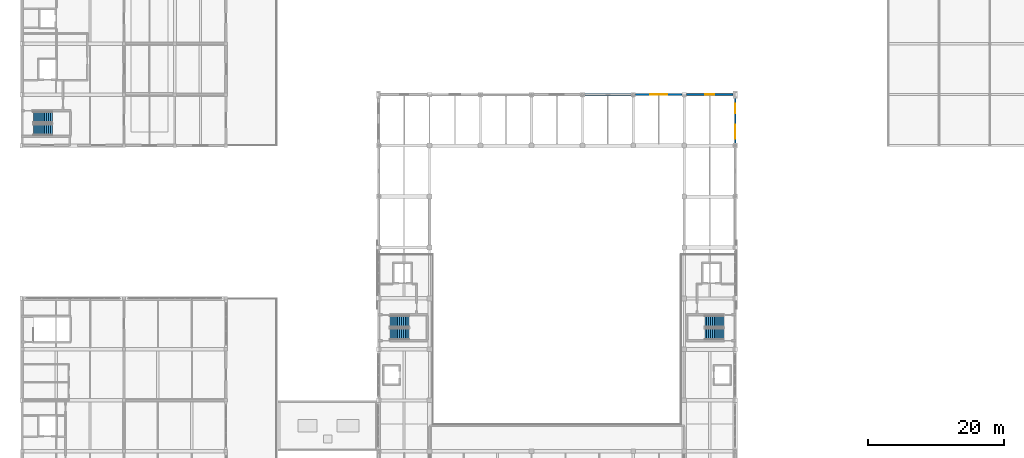
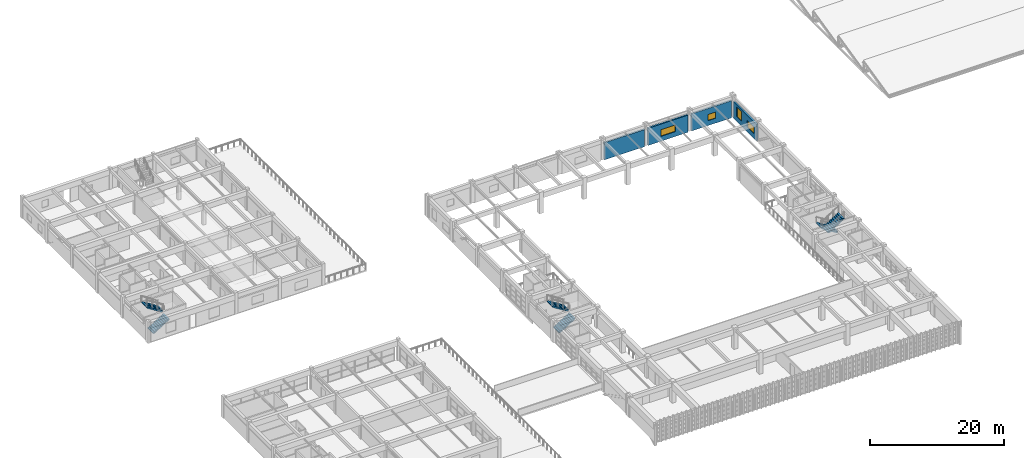
# One storey, part 66 of 82: 6 stair flights, 4 walls, 4 windows, 4 openings, 3 elements without a shape of their own.
"""IFC4 building model written with IfcOpenShell, lengths in metres."""

from ifc_helpers import new_model, si_unit, direction, frame, frame_2d, origin, place, context, subcontext, project, spatial, polyline, rectangle, outline, extrude, material, layer, layer_set, type_object, element, fill, aggregate, save


model = new_model("IFC4")

# Units and contexts
model_context = context("Model", 3, precision=1e-05, world=origin(), true_north=direction((0.0, 1.0)))
body_context = subcontext(model_context, "Body", "Model", "MODEL_VIEW")
ifc_project = project(units=[si_unit("LENGTHUNIT", "METRE"), si_unit("AREAUNIT", "SQUARE_METRE"), si_unit("VOLUMEUNIT", "CUBIC_METRE"), si_unit("PLANEANGLEUNIT", "RADIAN"), si_unit("MASSUNIT", "GRAM", prefix="KILO")], contexts=[model_context])

# Site, building, storey
site_placement = place(None, origin())
site = spatial("IfcSite", under=ifc_project, at=site_placement, CompositionType="ELEMENT")
building_placement = place(site_placement, origin())
building = spatial("IfcBuilding", under=site, at=building_placement, Name="Qasida Concert Hall", CompositionType="ELEMENT")
storey_placement = place(building_placement, frame((0.0, 0.0, 17.10009765625)))
storey = spatial("IfcBuildingStorey", under=building, at=storey_placement, Name="L04", CompositionType="ELEMENT", Elevation=17.10009765625)

# Wall, openings, windows
ifc_material_1 = material(Name="Precast concrete C40/50", Category="concrete")
ifc_layer = layer(ifc_material_1, 0.280029296875, Name="Precast concrete C40/50")
ifc_layer_set = layer_set([ifc_layer], Name="Precast concrete C40/50")
wall_type = type_object("IfcWallType", Name="WL-EW-280", PredefinedType="SOLIDWALL", material=ifc_layer_set)
wall_1_placement = place(storey_placement, frame((105.0, 75.300048828125, -0.280029296875), z_axis=(0.0, 0.0, 1.0), x_axis=(0.0, 1.0, 0.0)))
wall_1 = element("IfcWall", 1, at=wall_1_placement, inside=storey, type_object=wall_type, Name="L04 exterior wall EW-280 0088", PredefinedType="SOLIDWALL", context=body_context, shape_type="SweptSolid", body=[
    extrude(rectangle(XDim=6.89990234375, YDim=0.280029296875, at=frame_2d((3.449951171875, 0.0))), origin(), (0.0, 0.0, 1.0), 3.02001953125),
])
opening_1_placement = place(wall_1_placement, frame((0.699951171875, 0.0, 0.8798828125)))
opening_1 = element("IfcOpeningElement", 2, at=opening_1_placement, cuts=wall_1, Name="Opening WN-20", PredefinedType="OPENING", context=body_context, shape_type="SweptSolid", body=[
    extrude(rectangle(XDim=2.050048828125, YDim=1.199951171875, at=frame_2d((1.02490234375, 0.60009765625))), frame((0.0, 0.14990234375, 0.0), z_axis=(0.0, -1.0, 0.0), x_axis=(1.0, 0.0, 0.0)), (0.0, 0.0, 1.0), 0.300048828125),
])
opening_2_placement = place(wall_1_placement, frame((4.47509765625, 0.0, 0.8798828125)))
opening_2 = element("IfcOpeningElement", 3, at=opening_2_placement, cuts=wall_1, Name="Opening WN-03", PredefinedType="OPENING", context=body_context, shape_type="SweptSolid", body=[
    extrude(rectangle(XDim=1.39990234375, YDim=1.800048828125, at=frame_2d((0.699951171875, 0.89990234375))), frame((0.0, 0.14990234375, 0.0), z_axis=(0.0, -1.0, 0.0), x_axis=(1.0, 0.0, 0.0)), (0.0, 0.0, 1.0), 0.300048828125),
])
ifc_material_2 = material(Name="Bronze-anodized aluminium frame with acoustic low-E glazing", Category="aluminium")
window_type_1 = type_object("IfcWindowType", Name="WN-03", PartitioningType="SINGLE_PANEL", PredefinedType="WINDOW", material=ifc_material_2)
window_1_placement = place(opening_2_placement, origin())
window_1 = element("IfcWindow", 4, at=window_1_placement, inside=storey, type_object=window_type_1, Name="L04 window WN-03 0031", OverallHeight=1.800048828125, OverallWidth=1.39990234375, PartitioningType="SINGLE_PANEL", PredefinedType="WINDOW", context=body_context, shape_type="SweptSolid", body=[
    extrude(rectangle(XDim=1.39990234375, YDim=1.800048828125, at=frame_2d((0.699951171875, 0.89990234375))), frame((0.0, 0.030029296875, 0.0), z_axis=(0.0, -1.0, 0.0), x_axis=(1.0, 0.0, 0.0)), (0.0, 0.0, 1.0), 0.06005859375),
])
fill(opening_2, window_1)
window_type_2 = type_object("IfcWindowType", Name="WN-20", PartitioningType="SINGLE_PANEL", PredefinedType="WINDOW", material=ifc_material_2)
window_2_placement = place(opening_1_placement, origin())
window_2 = element("IfcWindow", 5, at=window_2_placement, inside=storey, type_object=window_type_2, Name="L04 window WN-20 0030", OverallHeight=1.199951171875, OverallWidth=2.050048828125, PartitioningType="SINGLE_PANEL", PredefinedType="WINDOW", context=body_context, shape_type="SweptSolid", body=[
    extrude(rectangle(XDim=2.050048828125, YDim=1.199951171875, at=frame_2d((1.02490234375, 0.60009765625))), frame((0.0, 0.030029296875, 0.0), z_axis=(0.0, -1.0, 0.0), x_axis=(1.0, 0.0, 0.0)), (0.0, 0.0, 1.0), 0.06005859375),
])
fill(opening_1, window_2)

# Wall
wall_2_placement = place(storey_placement, frame((82.800048828125, 82.5, -0.280029296875), z_axis=(0.0, 0.0, 1.0), x_axis=(1.0, 0.0, 0.0)))
element("IfcWall", 6, at=wall_2_placement, inside=storey, type_object=wall_type, Name="L04 exterior wall EW-280 0093", PredefinedType="SOLIDWALL", context=body_context, shape_type="SweptSolid", body=[
    extrude(rectangle(XDim=6.89990234375, YDim=0.280029296875, at=frame_2d((3.449951171875, 0.0))), origin(), (0.0, 0.0, 1.0), 3.119873046875),
])

# Wall, opening, window
wall_3_placement = place(storey_placement, frame((90.300048828125, 82.5, -0.280029296875), z_axis=(0.0, 0.0, 1.0), x_axis=(1.0, 0.0, 0.0)))
wall_3 = element("IfcWall", 7, at=wall_3_placement, inside=storey, type_object=wall_type, Name="L04 exterior wall EW-280 0094", PredefinedType="SOLIDWALL", context=body_context, shape_type="SweptSolid", body=[
    extrude(rectangle(XDim=6.89990234375, YDim=0.280029296875, at=frame_2d((3.449951171875, 0.0))), origin(), (0.0, 0.0, 1.0), 3.119873046875),
])
opening_3_placement = place(wall_3_placement, frame((2.22509765625, 0.0, 0.8798828125)))
opening_3 = element("IfcOpeningElement", 8, at=opening_3_placement, cuts=wall_3, Name="Opening WN-22", PredefinedType="OPENING", context=body_context, shape_type="SweptSolid", body=[
    extrude(rectangle(XDim=2.449951171875, YDim=1.199951171875, at=frame_2d((1.22509765625, 0.60009765625))), frame((0.0, 0.14990234375, 0.0), z_axis=(0.0, -1.0, 0.0), x_axis=(1.0, 0.0, 0.0)), (0.0, 0.0, 1.0), 0.300048828125),
])
window_type_3 = type_object("IfcWindowType", Name="WN-22", PartitioningType="SINGLE_PANEL", PredefinedType="WINDOW", material=ifc_material_2)
window_3_placement = place(opening_3_placement, origin())
window_3 = element("IfcWindow", 9, at=window_3_placement, inside=storey, type_object=window_type_3, Name="L04 window WN-22 0035", OverallHeight=1.199951171875, OverallWidth=2.449951171875, PartitioningType="SINGLE_PANEL", PredefinedType="WINDOW", context=body_context, shape_type="SweptSolid", body=[
    extrude(rectangle(XDim=2.449951171875, YDim=1.199951171875, at=frame_2d((1.22509765625, 0.60009765625))), frame((0.0, 0.030029296875, 0.0), z_axis=(0.0, -1.0, 0.0), x_axis=(1.0, 0.0, 0.0)), (0.0, 0.0, 1.0), 0.06005859375),
])
fill(opening_3, window_3)

wall_4_placement = place(storey_placement, frame((97.800048828125, 82.5, -0.280029296875), z_axis=(0.0, 0.0, 1.0), x_axis=(1.0, 0.0, 0.0)))
wall_4 = element("IfcWall", 10, at=wall_4_placement, inside=storey, type_object=wall_type, Name="L04 exterior wall EW-280 0095", PredefinedType="SOLIDWALL", context=body_context, shape_type="SweptSolid", body=[
    extrude(rectangle(XDim=6.89990234375, YDim=0.280029296875, at=frame_2d((3.449951171875, 0.0))), origin(), (0.0, 0.0, 1.0), 3.119873046875),
])
opening_4_placement = place(wall_4_placement, frame((2.77490234375, 0.0, 0.8798828125)))
opening_4 = element("IfcOpeningElement", 11, at=opening_4_placement, cuts=wall_4, Name="Opening WN-23", PredefinedType="OPENING", context=body_context, shape_type="SweptSolid", body=[
    extrude(rectangle(XDim=1.35009765625, YDim=1.14990234375, at=frame_2d((0.675048828125, 0.574951171875))), frame((0.0, 0.14990234375, 0.0), z_axis=(0.0, -1.0, 0.0), x_axis=(1.0, 0.0, 0.0)), (0.0, 0.0, 1.0), 0.300048828125),
])
window_type_4 = type_object("IfcWindowType", Name="WN-23", PartitioningType="SINGLE_PANEL", PredefinedType="WINDOW", material=ifc_material_2)
window_4_placement = place(opening_4_placement, origin())
window_4 = element("IfcWindow", 12, at=window_4_placement, inside=storey, type_object=window_type_4, Name="L04 window WN-23 0036", OverallHeight=1.14990234375, OverallWidth=1.35009765625, PartitioningType="SINGLE_PANEL", PredefinedType="WINDOW", context=body_context, shape_type="SweptSolid", body=[
    extrude(rectangle(XDim=1.35009765625, YDim=1.14990234375, at=frame_2d((0.675048828125, 0.574951171875))), frame((0.0, 0.030029296875, 0.0), z_axis=(0.0, -1.0, 0.0), x_axis=(1.0, 0.0, 0.0)), (0.0, 0.0, 1.0), 0.06005859375),
])
fill(opening_4, window_4)

# Stair, stair flights
ifc_material_3 = material(Name="Concrete C40/50", Category="concrete")
stair_type_1 = type_object("IfcStairType", Name="ST-DL-165", PredefinedType="HALF_TURN_STAIR", material=ifc_material_3)
stair_1_placement = place(storey_placement, origin())
stair_1 = element("IfcStair", 13, at=stair_1_placement, inside=storey, type_object=stair_type_1, Name="L04 Exit stair ST-05", PredefinedType="HALF_TURN_STAIR")
stair_flight_type_1 = type_object("IfcStairFlightType", Name="SF-DL-165", PredefinedType="STRAIGHT", material=ifc_material_3)
stair_flight_1_placement = place(storey_placement, frame((1.64990234375, 77.324951171875, 0.0), z_axis=(0.0, 0.0, 1.0), x_axis=(1.0, 0.0, 0.0)))
stair_flight_1 = element("IfcStairFlight", 14, at=stair_flight_1_placement, type_object=stair_flight_type_1, Name="ST-05 flight 1", NumberOfRisers=11, NumberOfTreads=10, PredefinedType="STRAIGHT", RiserHeight=0.177272727, TreadLength=0.28, context=body_context, shape_type="SweptSolid", body=[
    extrude(outline(polyline([(0.0, 0.0), (0.0, 0.17724609375), (0.280029296875, 0.17724609375), (0.280029296875, 0.3544921875), (0.56005859375, 0.3544921875), (0.56005859375, 0.53173828125), (0.840087890625, 0.53173828125), (0.840087890625, 0.708984375), (1.1201171875, 0.708984375), (1.1201171875, 0.886474609375), (1.39990234375, 0.886474609375), (1.39990234375, 1.063720703125), (1.679931640625, 1.063720703125), (1.679931640625, 1.240966796875), (1.9599609375, 1.240966796875), (1.9599609375, 1.418212890625), (2.239990234375, 1.418212890625), (2.239990234375, 1.595458984375), (2.52001953125, 1.595458984375), (2.52001953125, 1.772705078125), (2.800048828125, 1.772705078125), (2.800048828125, 1.949951171875), (2.800048828125, 1.58349609375), (0.298828125, 0.0), (0.0, 0.0)])), frame((0.0, 0.824951171875, 0.0), z_axis=(0.0, -1.0, 0.0), x_axis=(1.0, 0.0, 0.0)), (0.0, 0.0, 1.0), 1.64990234375),
])
stair_flight_2_placement = place(storey_placement, frame((4.449951171875, 79.175048828125, 1.949951171875), z_axis=(0.0, 0.0, 1.0), x_axis=(-1.0, 0.0, 0.0)))
stair_flight_2 = element("IfcStairFlight", 15, at=stair_flight_2_placement, type_object=stair_flight_type_1, Name="ST-05 flight 2", NumberOfRisers=11, NumberOfTreads=10, PredefinedType="STRAIGHT", RiserHeight=0.177272727, TreadLength=0.28, context=body_context, shape_type="SweptSolid", body=[
    extrude(outline(polyline([(0.0, 0.0), (0.0, 0.17724609375), (0.280029296875, 0.17724609375), (0.280029296875, 0.3544921875), (0.56005859375, 0.3544921875), (0.56005859375, 0.53173828125), (0.840087890625, 0.53173828125), (0.840087890625, 0.708984375), (1.1201171875, 0.708984375), (1.1201171875, 0.886474609375), (1.39990234375, 0.886474609375), (1.39990234375, 1.063720703125), (1.679931640625, 1.063720703125), (1.679931640625, 1.240966796875), (1.9599609375, 1.240966796875), (1.9599609375, 1.418212890625), (2.239990234375, 1.418212890625), (2.239990234375, 1.595458984375), (2.52001953125, 1.595458984375), (2.52001953125, 1.772705078125), (2.800048828125, 1.772705078125), (2.800048828125, 1.949951171875), (2.800048828125, 1.58349609375), (0.298828125, 0.0), (0.0, 0.0)])), frame((0.0, 0.824951171875, 0.0), z_axis=(0.0, -1.0, 0.0), x_axis=(1.0, 0.0, 0.0)), (0.0, 0.0, 1.0), 1.64990234375),
])
aggregate(stair_1, [stair_flight_1, stair_flight_2])

stair_type_2 = type_object("IfcStairType", Name="ST-DL-168", PredefinedType="HALF_TURN_STAIR", material=ifc_material_3)
stair_2_placement = place(storey_placement, origin())
stair_2 = element("IfcStair", 16, at=stair_2_placement, inside=storey, type_object=stair_type_2, Name="L04 Exit stair ST-01", PredefinedType="HALF_TURN_STAIR")
stair_flight_type_2 = type_object("IfcStairFlightType", Name="SF-DL-168", PredefinedType="STRAIGHT", material=ifc_material_3)
stair_flight_3_placement = place(storey_placement, frame((54.179931640625, 47.239990234375, 0.0), z_axis=(0.0, 0.0, 1.0), x_axis=(1.0, 0.0, 0.0)))
stair_flight_3 = element("IfcStairFlight", 17, at=stair_flight_3_placement, type_object=stair_flight_type_2, Name="ST-01 flight 1", NumberOfRisers=11, NumberOfTreads=10, PredefinedType="STRAIGHT", RiserHeight=0.177272727, TreadLength=0.28, context=body_context, shape_type="SweptSolid", body=[
    extrude(outline(polyline([(0.0, 0.0), (0.0, 0.17724609375), (0.280029296875, 0.17724609375), (0.280029296875, 0.3544921875), (0.56005859375, 0.3544921875), (0.56005859375, 0.53173828125), (0.840087890625, 0.53173828125), (0.840087890625, 0.708984375), (1.1201171875, 0.708984375), (1.1201171875, 0.886474609375), (1.39990234375, 0.886474609375), (1.39990234375, 1.063720703125), (1.679931640625, 1.063720703125), (1.679931640625, 1.240966796875), (1.9599609375, 1.240966796875), (1.9599609375, 1.418212890625), (2.239990234375, 1.418212890625), (2.239990234375, 1.595458984375), (2.52001953125, 1.595458984375), (2.52001953125, 1.772705078125), (2.800048828125, 1.772705078125), (2.800048828125, 1.949951171875), (2.800048828125, 1.58349609375), (0.298828125, 0.0), (0.0, 0.0)])), frame((0.0, 0.83984375, 0.0), z_axis=(0.0, -1.0, 0.0), x_axis=(1.0, 0.0, 0.0)), (0.0, 0.0, 1.0), 1.679931640625),
])
stair_flight_4_placement = place(storey_placement, frame((56.97998046875, 49.1201171875, 1.949951171875), z_axis=(0.0, 0.0, 1.0), x_axis=(-1.0, 0.0, 0.0)))
stair_flight_4 = element("IfcStairFlight", 18, at=stair_flight_4_placement, type_object=stair_flight_type_2, Name="ST-01 flight 2", NumberOfRisers=11, NumberOfTreads=10, PredefinedType="STRAIGHT", RiserHeight=0.177272727, TreadLength=0.28, context=body_context, shape_type="SweptSolid", body=[
    extrude(outline(polyline([(0.0, 0.0), (0.0, 0.17724609375), (0.280029296875, 0.17724609375), (0.280029296875, 0.3544921875), (0.56005859375, 0.3544921875), (0.56005859375, 0.53173828125), (0.840087890625, 0.53173828125), (0.840087890625, 0.708984375), (1.1201171875, 0.708984375), (1.1201171875, 0.886474609375), (1.39990234375, 0.886474609375), (1.39990234375, 1.063720703125), (1.679931640625, 1.063720703125), (1.679931640625, 1.240966796875), (1.9599609375, 1.240966796875), (1.9599609375, 1.418212890625), (2.239990234375, 1.418212890625), (2.239990234375, 1.595458984375), (2.52001953125, 1.595458984375), (2.52001953125, 1.772705078125), (2.800048828125, 1.772705078125), (2.800048828125, 1.949951171875), (2.800048828125, 1.58349609375), (0.298828125, 0.0), (0.0, 0.0)])), frame((0.0, 0.83984375, 0.0), z_axis=(0.0, -1.0, 0.0), x_axis=(1.0, 0.0, 0.0)), (0.0, 0.0, 1.0), 1.679931640625),
])
aggregate(stair_2, [stair_flight_3, stair_flight_4])

stair_3_placement = place(storey_placement, origin())
stair_3 = element("IfcStair", 19, at=stair_3_placement, inside=storey, type_object=stair_type_2, Name="L04 Exit stair ST-02", PredefinedType="HALF_TURN_STAIR")
stair_flight_5_placement = place(storey_placement, frame((103.320068359375, 49.1201171875, 0.0), z_axis=(0.0, 0.0, 1.0), x_axis=(-1.0, 0.0, 0.0)))
stair_flight_5 = element("IfcStairFlight", 20, at=stair_flight_5_placement, type_object=stair_flight_type_2, Name="ST-02 flight 1", NumberOfRisers=11, NumberOfTreads=10, PredefinedType="STRAIGHT", RiserHeight=0.177272727, TreadLength=0.28, context=body_context, shape_type="SweptSolid", body=[
    extrude(outline(polyline([(0.0, 0.0), (0.0, 0.17724609375), (0.280029296875, 0.17724609375), (0.280029296875, 0.3544921875), (0.56005859375, 0.3544921875), (0.56005859375, 0.53173828125), (0.840087890625, 0.53173828125), (0.840087890625, 0.708984375), (1.1201171875, 0.708984375), (1.1201171875, 0.886474609375), (1.39990234375, 0.886474609375), (1.39990234375, 1.063720703125), (1.679931640625, 1.063720703125), (1.679931640625, 1.240966796875), (1.9599609375, 1.240966796875), (1.9599609375, 1.418212890625), (2.239990234375, 1.418212890625), (2.239990234375, 1.595458984375), (2.52001953125, 1.595458984375), (2.52001953125, 1.772705078125), (2.800048828125, 1.772705078125), (2.800048828125, 1.949951171875), (2.800048828125, 1.58349609375), (0.298828125, 0.0), (0.0, 0.0)])), frame((0.0, 0.83984375, 0.0), z_axis=(0.0, -1.0, 0.0), x_axis=(1.0, 0.0, 0.0)), (0.0, 0.0, 1.0), 1.679931640625),
])
stair_flight_6_placement = place(storey_placement, frame((100.52001953125, 47.239990234375, 1.949951171875), z_axis=(0.0, 0.0, 1.0), x_axis=(1.0, 0.0, 0.0)))
stair_flight_6 = element("IfcStairFlight", 21, at=stair_flight_6_placement, type_object=stair_flight_type_2, Name="ST-02 flight 2", NumberOfRisers=11, NumberOfTreads=10, PredefinedType="STRAIGHT", RiserHeight=0.177272727, TreadLength=0.28, context=body_context, shape_type="SweptSolid", body=[
    extrude(outline(polyline([(0.0, 0.0), (0.0, 0.17724609375), (0.280029296875, 0.17724609375), (0.280029296875, 0.3544921875), (0.56005859375, 0.3544921875), (0.56005859375, 0.53173828125), (0.840087890625, 0.53173828125), (0.840087890625, 0.708984375), (1.1201171875, 0.708984375), (1.1201171875, 0.886474609375), (1.39990234375, 0.886474609375), (1.39990234375, 1.063720703125), (1.679931640625, 1.063720703125), (1.679931640625, 1.240966796875), (1.9599609375, 1.240966796875), (1.9599609375, 1.418212890625), (2.239990234375, 1.418212890625), (2.239990234375, 1.595458984375), (2.52001953125, 1.595458984375), (2.52001953125, 1.772705078125), (2.800048828125, 1.772705078125), (2.800048828125, 1.949951171875), (2.800048828125, 1.58349609375), (0.298828125, 0.0), (0.0, 0.0)])), frame((0.0, 0.83984375, 0.0), z_axis=(0.0, -1.0, 0.0), x_axis=(1.0, 0.0, 0.0)), (0.0, 0.0, 1.0), 1.679931640625),
])
aggregate(stair_3, [stair_flight_5, stair_flight_6])

save(model, "model.ifc")
